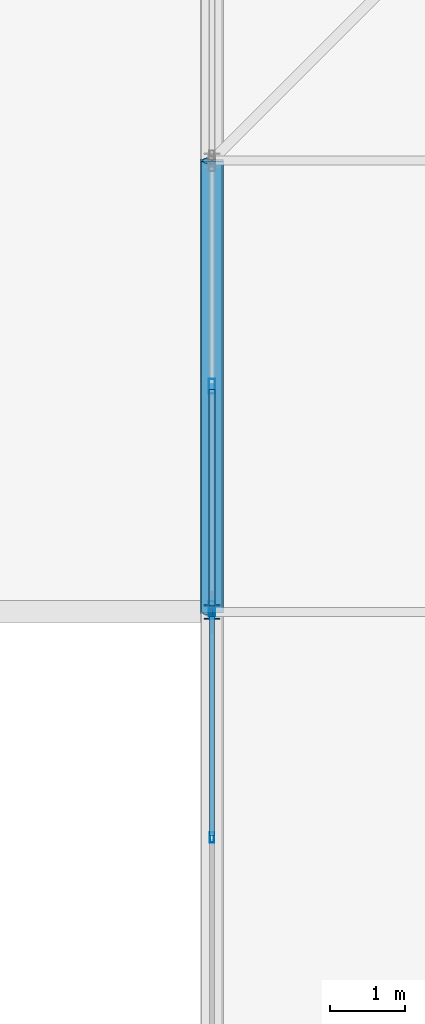
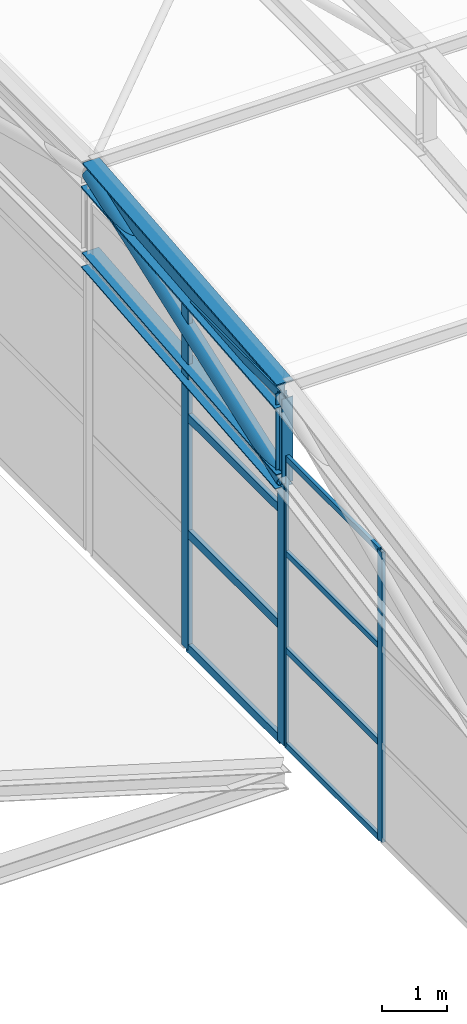
# One storey, part 22 of 204: 16 members, 2 elements without a shape of their own.
"""IFC4 building model written with IfcOpenShell, lengths in metres."""

from ifc_helpers import new_model, si_unit, direction, frame, origin, origin_2d, place, context, subcontext, project, spatial, hollow_rectangle, hollow_circle, i_section, extrude, material, layer, layer_set, material_profile, profile_set, type_object, element, aggregate, save


model = new_model("IFC4")

# Units and contexts
model_context = context("Model", 3, precision=1e-05, world=origin(), true_north=direction((0.0, 1.0)))
body_context = subcontext(model_context, "Body", "Model", "MODEL_VIEW")
ifc_project = project(units=[si_unit("LENGTHUNIT", "METRE"), si_unit("AREAUNIT", "SQUARE_METRE"), si_unit("VOLUMEUNIT", "CUBIC_METRE"), si_unit("PLANEANGLEUNIT", "RADIAN"), si_unit("MASSUNIT", "GRAM", prefix="KILO")], contexts=[model_context])

# Site, building, storey
site_placement = place(None, origin())
site = spatial("IfcSite", under=ifc_project, at=site_placement, CompositionType="ELEMENT")
building_placement = place(site_placement, origin())
building = spatial("IfcBuilding", under=site, at=building_placement, Name="Zilviju Railside Exhibition Hall", CompositionType="ELEMENT")
storey_placement = place(building_placement, frame((0.0, 0.0, 21.0)))
storey = spatial("IfcBuildingStorey", under=building, at=storey_placement, Name="RF", CompositionType="ELEMENT", Elevation=21.0)

# Curtain wall, members
ifc_material_1 = material(Name="Thermally broken aluminium-steel triple-glazed curtain wall", Category="steel")
ifc_layer_1 = layer(ifc_material_1, 0.179931640625)
ifc_layer_set_1 = layer_set([ifc_layer_1], Name="Thermally broken aluminium-steel triple-glazed curtain wall")
curtain_wall_type_1 = type_object("IfcCurtainWallType", Name="CW-BAY-11", PredefinedType="USERDEFINED", material=ifc_layer_set_1)
curtain_wall_1_placement = place(storey_placement, origin())
curtain_wall_1 = element("IfcCurtainWall", 1, at=curtain_wall_1_placement, inside=storey, type_object=curtain_wall_type_1, Name="South Hall Arch Tympanum Glazing West P3", ObjectType="GLAZED CURTAIN WALL", PredefinedType="USERDEFINED")
ifc_material_2 = material(Name="Thermally broken anodized aluminium mullion", Category="aluminium")
ifc_material_profile_1 = material_profile(ifc_material_2, hollow_rectangle(XDim=0.06005859375, YDim=0.139892578125, WallThickness=0.0048828125, at=origin_2d()), Name="MULLION 140x60x5")
ifc_profile_set_1 = profile_set([ifc_material_profile_1], Name="Thermally broken anodized aluminium mullion")
member_type_1 = type_object("IfcMemberType", Name="CWM-60x140", PredefinedType="MULLION", material=ifc_profile_set_1)
member_1_placement = place(storey_placement, frame((78.0, 15.0, -7.800048828125), z_axis=(0.0, 0.0, 1.0), x_axis=(-1.0, 0.0, 0.0)))
member_1 = element("IfcMember", 2, at=member_1_placement, type_object=member_type_1, Name="CW-11 mullion 2", PredefinedType="MULLION", context=body_context, shape_type="SweptSolid", body=[
    extrude(hollow_rectangle(XDim=0.06005859375, YDim=0.139892578125, WallThickness=0.0048828125, at=origin_2d()), origin(), (0.0, 0.0, 1.0), 5.47216796875),
])
member_2_placement = place(storey_placement, frame((78.0, 17.969970703125, -7.800048828125), z_axis=(0.0, 0.0, 1.0), x_axis=(-1.0, 0.0, 0.0)))
member_2 = element("IfcMember", 3, at=member_2_placement, type_object=member_type_1, Name="CW-11 mullion 3", PredefinedType="MULLION", context=body_context, shape_type="SweptSolid", body=[
    extrude(hollow_rectangle(XDim=0.06005859375, YDim=0.139892578125, WallThickness=0.0048828125, at=origin_2d()), origin(), (0.0, 0.0, 1.0), 5.47216796875),
])

ifc_layer_2 = layer(ifc_material_1, 0.179931640625)
ifc_layer_set_2 = layer_set([ifc_layer_2], Name="Thermally broken aluminium-steel triple-glazed curtain wall")
curtain_wall_type_2 = type_object("IfcCurtainWallType", Name="CW-BAY-12", PredefinedType="USERDEFINED", material=ifc_layer_set_2)
curtain_wall_2_placement = place(storey_placement, origin())
curtain_wall_2 = element("IfcCurtainWall", 4, at=curtain_wall_2_placement, inside=storey, type_object=curtain_wall_type_2, Name="South Hall Arch Tympanum Glazing West P4", ObjectType="GLAZED CURTAIN WALL", PredefinedType="USERDEFINED")
ifc_material_profile_2 = material_profile(ifc_material_2, hollow_rectangle(XDim=0.080078125, YDim=0.199951171875, WallThickness=0.0048828125, at=origin_2d()), Name="MULLION 200x80x5")
ifc_profile_set_2 = profile_set([ifc_material_profile_2], Name="Thermally broken anodized aluminium mullion")
member_type_2 = type_object("IfcMemberType", Name="CWM-80x200", PredefinedType="MULLION", material=ifc_profile_set_2)
member_3_placement = place(storey_placement, frame((78.0, 18.0400390625, -7.800048828125), z_axis=(0.0, 0.0, 1.0), x_axis=(-1.0, 0.0, 0.0)))
member_3 = element("IfcMember", 5, at=member_3_placement, type_object=member_type_2, Name="CW-12 mullion 1", PredefinedType="MULLION", context=body_context, shape_type="SweptSolid", body=[
    extrude(hollow_rectangle(XDim=0.080078125, YDim=0.199951171875, WallThickness=0.0048828125, at=origin_2d()), origin(), (0.0, 0.0, 1.0), 6.578125),
])
member_4_placement = place(storey_placement, frame((78.0, 21.0, -7.800048828125), z_axis=(0.0, 0.0, 1.0), x_axis=(-1.0, 0.0, 0.0)))
member_4 = element("IfcMember", 6, at=member_4_placement, type_object=member_type_2, Name="CW-12 mullion 2", PredefinedType="MULLION", context=body_context, shape_type="SweptSolid", body=[
    extrude(hollow_rectangle(XDim=0.080078125, YDim=0.199951171875, WallThickness=0.0048828125, at=origin_2d()), origin(), (0.0, 0.0, 1.0), 6.578125),
])

# Member
ifc_material_3 = material(Name="Thermally broken anodized aluminium transom", Category="aluminium")
ifc_material_profile_3 = material_profile(ifc_material_3, hollow_rectangle(XDim=0.06005859375, YDim=0.110107421875, WallThickness=0.0048828125, at=origin_2d()), Name="TRANSOM 110x60x5")
ifc_profile_set_3 = profile_set([ifc_material_profile_3], Name="Thermally broken anodized aluminium transom")
member_type_3 = type_object("IfcMemberType", Name="CWT-60x110", PredefinedType="USERDEFINED", material=ifc_profile_set_3)
member_5_placement = place(storey_placement, frame((78.0, 15.030029296875, -7.77001953125), z_axis=(0.0, 1.0, 0.0), x_axis=(-1.0, 0.0, 0.0)))
member_5 = element("IfcMember", 7, at=member_5_placement, type_object=member_type_3, Name="CW-11 transom 2.1", ObjectType="TRANSOM", PredefinedType="USERDEFINED", context=body_context, shape_type="SweptSolid", body=[
    extrude(hollow_rectangle(XDim=0.06005859375, YDim=0.110107421875, WallThickness=0.0048828125, at=origin_2d()), origin(), (0.0, 0.0, 1.0), 2.909912109375),
])

member_6_placement = place(storey_placement, frame((78.0, 15.030029296875, -5.97607421875), z_axis=(0.0, 1.0, 0.0), x_axis=(-1.0, 0.0, 0.0)))
member_6 = element("IfcMember", 8, at=member_6_placement, type_object=member_type_3, Name="CW-11 transom 2.2", ObjectType="TRANSOM", PredefinedType="USERDEFINED", context=body_context, shape_type="SweptSolid", body=[
    extrude(hollow_rectangle(XDim=0.06005859375, YDim=0.110107421875, WallThickness=0.0048828125, at=origin_2d()), origin(), (0.0, 0.0, 1.0), 2.909912109375),
])

member_7_placement = place(storey_placement, frame((78.0, 15.030029296875, -4.152099609375), z_axis=(0.0, 1.0, 0.0), x_axis=(-1.0, 0.0, 0.0)))
member_7 = element("IfcMember", 9, at=member_7_placement, type_object=member_type_3, Name="CW-11 transom 2.3", ObjectType="TRANSOM", PredefinedType="USERDEFINED", context=body_context, shape_type="SweptSolid", body=[
    extrude(hollow_rectangle(XDim=0.06005859375, YDim=0.110107421875, WallThickness=0.0048828125, at=origin_2d()), origin(), (0.0, 0.0, 1.0), 2.909912109375),
])

member_8_placement = place(storey_placement, frame((78.0, 15.030029296875, -2.35791015625), z_axis=(0.0, 1.0, 0.0), x_axis=(-1.0, 0.0, 0.0)))
member_8 = element("IfcMember", 10, at=member_8_placement, type_object=member_type_3, Name="CW-11 transom 2.4", ObjectType="TRANSOM", PredefinedType="USERDEFINED", context=body_context, shape_type="SweptSolid", body=[
    extrude(hollow_rectangle(XDim=0.06005859375, YDim=0.110107421875, WallThickness=0.0048828125, at=origin_2d()), origin(), (0.0, 0.0, 1.0), 2.909912109375),
])

aggregate(curtain_wall_1, [member_1, member_2, member_5, member_6, member_7, member_8])

ifc_material_profile_4 = material_profile(ifc_material_3, hollow_rectangle(XDim=0.080078125, YDim=0.159912109375, WallThickness=0.0048828125, at=origin_2d()), Name="TRANSOM 160x80x5")
ifc_profile_set_4 = profile_set([ifc_material_profile_4], Name="Thermally broken anodized aluminium transom")
member_type_4 = type_object("IfcMemberType", Name="CWT-80x160", PredefinedType="USERDEFINED", material=ifc_profile_set_4)
member_9_placement = place(storey_placement, frame((78.0, 18.080078125, -7.760009765625), z_axis=(0.0, 1.0, 0.0), x_axis=(-1.0, 0.0, 0.0)))
member_9 = element("IfcMember", 11, at=member_9_placement, type_object=member_type_4, Name="CW-12 transom 1.1", ObjectType="TRANSOM", PredefinedType="USERDEFINED", context=body_context, shape_type="SweptSolid", body=[
    extrude(hollow_rectangle(XDim=0.080078125, YDim=0.159912109375, WallThickness=0.0048828125, at=origin_2d()), origin(), (0.0, 0.0, 1.0), 2.8798828125),
])

member_10_placement = place(storey_placement, frame((78.0, 18.080078125, -5.60693359375), z_axis=(0.0, 1.0, 0.0), x_axis=(-1.0, 0.0, 0.0)))
member_10 = element("IfcMember", 12, at=member_10_placement, type_object=member_type_4, Name="CW-12 transom 1.2", ObjectType="TRANSOM", PredefinedType="USERDEFINED", context=body_context, shape_type="SweptSolid", body=[
    extrude(hollow_rectangle(XDim=0.080078125, YDim=0.159912109375, WallThickness=0.0048828125, at=origin_2d()), origin(), (0.0, 0.0, 1.0), 2.8798828125),
])

member_11_placement = place(storey_placement, frame((78.0, 18.080078125, -3.4150390625), z_axis=(0.0, 1.0, 0.0), x_axis=(-1.0, 0.0, 0.0)))
member_11 = element("IfcMember", 13, at=member_11_placement, type_object=member_type_4, Name="CW-12 transom 1.3", ObjectType="TRANSOM", PredefinedType="USERDEFINED", context=body_context, shape_type="SweptSolid", body=[
    extrude(hollow_rectangle(XDim=0.080078125, YDim=0.159912109375, WallThickness=0.0048828125, at=origin_2d()), origin(), (0.0, 0.0, 1.0), 2.8798828125),
])

member_12_placement = place(storey_placement, frame((78.0, 18.080078125, -1.261962890625), z_axis=(0.0, 1.0, 0.0), x_axis=(-1.0, 0.0, 0.0)))
member_12 = element("IfcMember", 14, at=member_12_placement, type_object=member_type_4, Name="CW-12 transom 1.4", ObjectType="TRANSOM", PredefinedType="USERDEFINED", context=body_context, shape_type="SweptSolid", body=[
    extrude(hollow_rectangle(XDim=0.080078125, YDim=0.159912109375, WallThickness=0.0048828125, at=origin_2d()), origin(), (0.0, 0.0, 1.0), 2.8798828125),
])

aggregate(curtain_wall_2, [member_3, member_4, member_9, member_10, member_11, member_12])

# Members
ifc_material_4 = material(Name="Steel S355ML", Category="steel")
ifc_material_profile_5 = material_profile(ifc_material_4, hollow_circle(Radius=0.136474609375, WallThickness=0.012451171875, at=origin_2d()), Name="CHS 273.0x12.5")
ifc_profile_set_5 = profile_set([ifc_material_profile_5], Name="Steel S355ML")
member_type_5 = type_object("IfcMemberType", Name="TR-BR-CHS273", PredefinedType="BRACE", material=ifc_profile_set_5)
member_13_placement = place(storey_placement, frame((78.0, 18.0, -2.822265625), z_axis=(0.0, 0.94123307508, 0.337757751023), x_axis=(-1.0, 0.0, 0.0)))
element("IfcMember", 15, at=member_13_placement, inside=storey, type_object=member_type_5, Name="V1 Parabolic Arch Web Diagonal X=78.0 P4", PredefinedType="BRACE", context=body_context, shape_type="SweptSolid", body=[
    extrude(hollow_circle(Radius=0.136474609375, WallThickness=0.012451171875, at=origin_2d()), origin(), (0.0, 0.0, 1.0), 6.37451171875),
])
ifc_material_profile_6 = material_profile(ifc_material_4, i_section(OverallWidth=0.300048828125, OverallDepth=0.300048828125, WebThickness=0.010986328125, FlangeThickness=0.01904296875, at=origin_2d()), Name="HEB 300")
ifc_profile_set_6 = profile_set([ifc_material_profile_6], Name="Steel S355ML")
member_type_6 = type_object("IfcMemberType", Name="TR-CH-HEB300", PredefinedType="CHORD", material=ifc_profile_set_6)
member_14_placement = place(storey_placement, frame((78.0, 18.0, -2.822265625), z_axis=(0.0, 0.995776144786, 0.091814320641), x_axis=(-1.0, 0.0, 0.0)))
element("IfcMember", 16, at=member_14_placement, inside=storey, type_object=member_type_6, Name="V1 Parabolic Arch Bottom Chord X=78.0 P4", PredefinedType="CHORD", context=body_context, shape_type="SweptSolid", body=[
    extrude(i_section(OverallWidth=0.300048828125, OverallDepth=0.300048828125, WebThickness=0.010986328125, FlangeThickness=0.01904296875, at=origin_2d()), origin(), (0.0, 0.0, 1.0), 6.025390625),
])
ifc_material_profile_7 = material_profile(ifc_material_4, i_section(OverallWidth=0.300048828125, OverallDepth=0.5, WebThickness=0.014404296875, FlangeThickness=0.028076171875, at=origin_2d()), Name="HEB 500")
ifc_profile_set_7 = profile_set([ifc_material_profile_7], Name="Steel S355ML")
member_type_7 = type_object("IfcMemberType", Name="TR-CH-HEB500-ML", PredefinedType="CHORD", material=ifc_profile_set_7)
member_15_placement = place(storey_placement, frame((78.0, 18.0, -1.22216796875), z_axis=(0.0, 0.99577984843, 0.091774143746), x_axis=(-1.0, 0.0, 0.0)))
element("IfcMember", 17, at=member_15_placement, inside=storey, type_object=member_type_7, Name="V1 Parabolic Arch Top Chord X=78.0 P4", PredefinedType="CHORD", context=body_context, shape_type="SweptSolid", body=[
    extrude(i_section(OverallWidth=0.300048828125, OverallDepth=0.5, WebThickness=0.014404296875, FlangeThickness=0.028076171875, at=origin_2d()), origin(), (0.0, 0.0, 1.0), 6.025390625),
])
ifc_material_profile_8 = material_profile(ifc_material_4, i_section(OverallWidth=0.199951171875, OverallDepth=0.18994140625, WebThickness=0.006591796875, FlangeThickness=0.010009765625, at=origin_2d()), Name="HEA 200")
ifc_profile_set_8 = profile_set([ifc_material_profile_8], Name="Steel S355ML")
member_type_8 = type_object("IfcMemberType", Name="TR-POST-HEA200", PredefinedType="POST", material=ifc_profile_set_8)
member_16_placement = place(storey_placement, frame((78.0, 18.0, -2.822265625), z_axis=(0.0, 0.0, 1.0), x_axis=(1.0, 0.0, 0.0)))
element("IfcMember", 18, at=member_16_placement, inside=storey, type_object=member_type_8, Name="V1 Parabolic Arch Web Post X=78.0 N3", PredefinedType="POST", context=body_context, shape_type="SweptSolid", body=[
    extrude(i_section(OverallWidth=0.199951171875, OverallDepth=0.18994140625, WebThickness=0.006591796875, FlangeThickness=0.010009765625, at=origin_2d()), origin(), (0.0, 0.0, 1.0), 1.60009765625),
])

save(model, "model.ifc")
